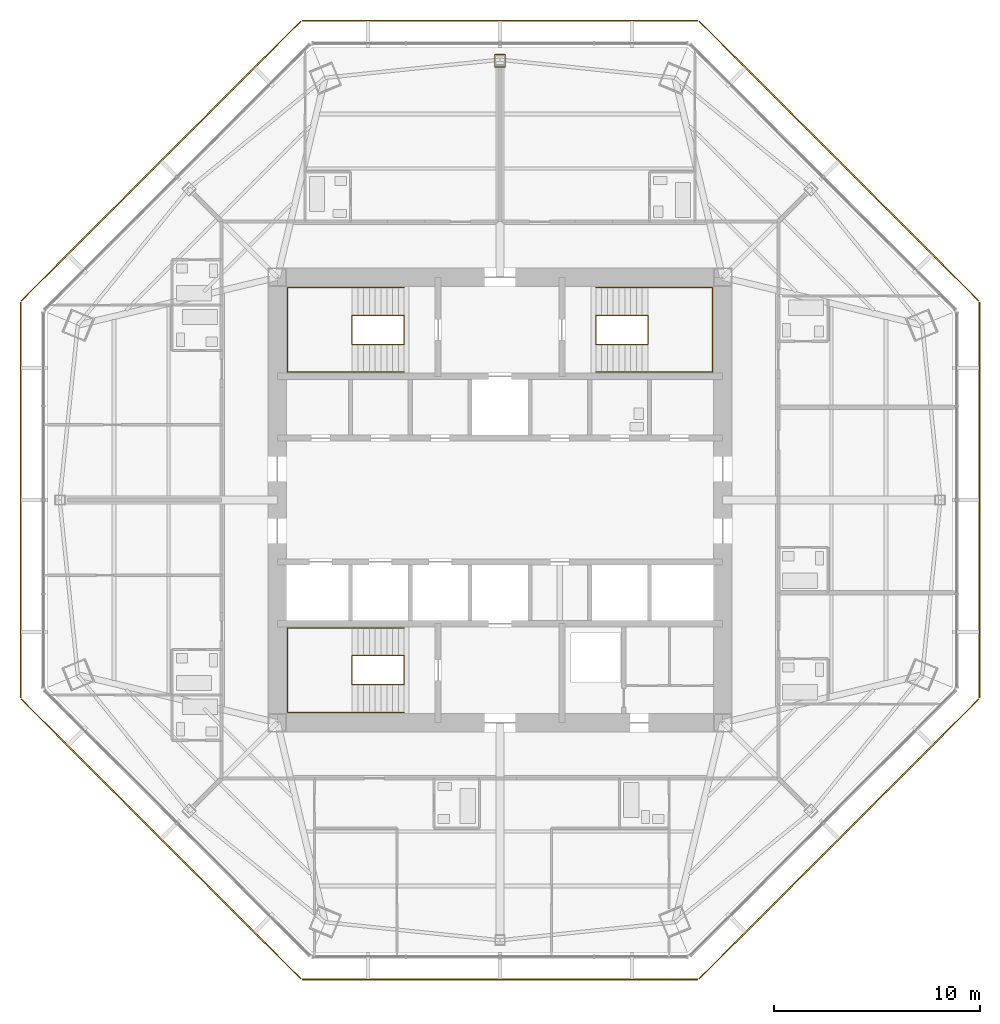
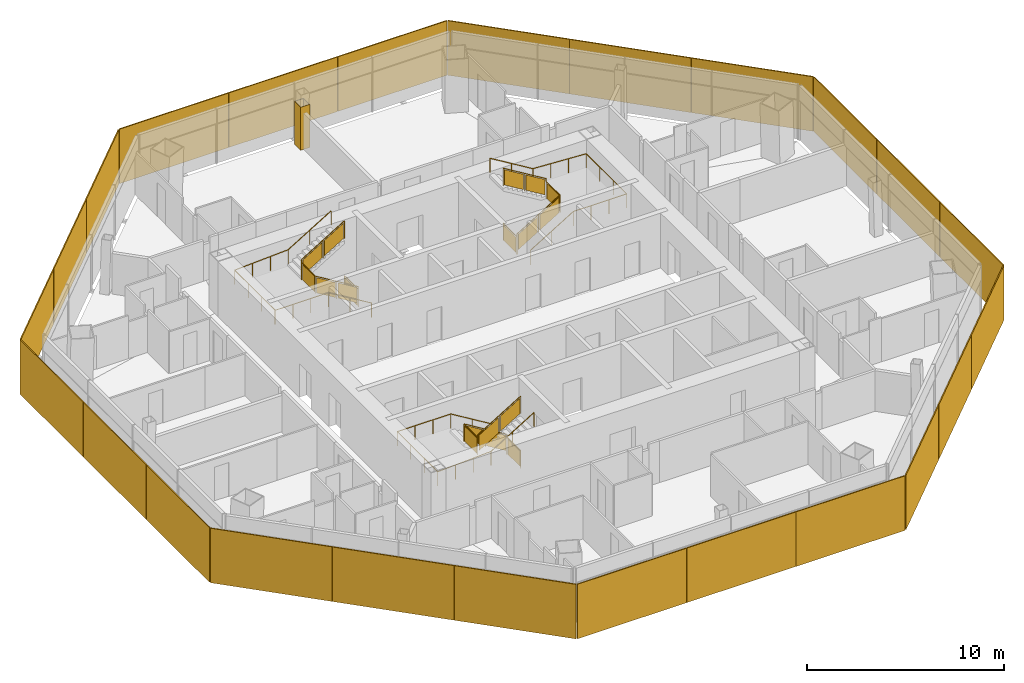
# One storey, part 14 of 15: 24 shading devices, 6 railings, 1 covering.
"""IFC4 building model written with IfcOpenShell, lengths in metres."""

from ifc_helpers import new_model, si_unit, direction, frame, origin, origin_2d, place, context, subcontext, project, spatial, polyline, rectangle, circle, outline, extrude, source, transform, mapped, material, layer, layer_set, type_object, type_shapes, element, save


model = new_model("IFC4")

# Units and contexts
model_context = context("Model", 3, precision=1e-05, world=origin(), true_north=direction((0.0, 1.0)))
body_context = subcontext(model_context, "Body", "Model", "MODEL_VIEW")
ifc_project = project(units=[si_unit("LENGTHUNIT", "METRE"), si_unit("AREAUNIT", "SQUARE_METRE"), si_unit("VOLUMEUNIT", "CUBIC_METRE"), si_unit("PLANEANGLEUNIT", "RADIAN"), si_unit("MASSUNIT", "GRAM", prefix="KILO")], contexts=[model_context])

# Site, building, storey
site_placement = place(None, origin())
site = spatial("IfcSite", under=ifc_project, at=site_placement, CompositionType="ELEMENT")
building_placement = place(site_placement, origin())
building = spatial("IfcBuilding", under=site, at=building_placement, Name="Mashrafa Tower", CompositionType="ELEMENT")
storey_placement = place(building_placement, frame((0.0, 0.0, 207.39990234375)))
storey = spatial("IfcBuildingStorey", under=building, at=storey_placement, Name="L47", CompositionType="ELEMENT", Elevation=207.39990234375)

# Covering
ifc_material_1 = material(Name="Gypsum board")
ifc_layer_1 = layer(ifc_material_1, 0.014892578125)
ifc_layer_set_1 = layer_set([ifc_layer_1], Name="Column casing plasterboard 15")
covering_type = type_object("IfcCoveringType", Name="Column casing plasterboard 15", PredefinedType="CLADDING", material=ifc_layer_set_1)
covering_placement = place(storey_placement, origin())
element("IfcCovering", 1, at=covering_placement, inside=storey, type_object=covering_type, Name="Column casing L47-001", PredefinedType="CLADDING", context=body_context, shape_type="SweptSolid", body=[
    extrude(outline(polyline([(-0.264892578125, 21.61279296875), (0.264892578125, 21.61279296875), (0.264892578125, 20.986328125), (-0.264892578125, 20.986328125), (-0.264892578125, 21.61279296875)]), holes=[polyline([(0.25, 21.00146484375), (0.25, 21.597900390625), (-0.25, 21.597900390625), (-0.25, 21.00146484375), (0.25, 21.00146484375)])]), origin(), (0.0, 0.0, 1.0), 2.664306640625),
])

# Railings
ifc_material_2 = material(Name="Steel guard with glass infill", Category="steel")
railing_type_1 = type_object("IfcRailingType", Name="Stair guard 1100", PredefinedType="GUARDRAIL", material=ifc_material_2)
railing_1_placement = place(storey_placement, frame((-4.64990234375, 8.949951171875, 0.0)))
element("IfcRailing", 2, at=railing_1_placement, inside=storey, type_object=railing_type_1, Name="Stair S1 guard L47", PredefinedType="GUARDRAIL", context=body_context, shape_type="SweptSolid", body=[
    extrude(circle(Radius=0.02392578125, at=origin_2d()), frame((0.0, 0.0, 1.076171875), z_axis=(0.0, -1.0, 0.0), x_axis=(1.0, 0.0, 0.0)), (0.0, 0.0, 1.0), 1.39990234375),
    extrude(circle(Radius=0.02392578125, at=origin_2d()), frame((0.0, -1.39990234375, 1.076171875), z_axis=(0.0, 0.0, 1.0), x_axis=(1.0, 0.0, 0.0)), (0.0, 0.0, 1.0), 0.170166015625),
    extrude(circle(Radius=0.02392578125, at=origin_2d()), frame((0.0, -1.39990234375, 1.24609375), z_axis=(-0.85478489116, 0.0, 0.518982456201), x_axis=(0.0, -1.0, 0.0)), (0.0, 0.0, 1.0), 2.9482421875),
    extrude(circle(Radius=0.02392578125, at=origin_2d()), frame((-2.52001953125, -1.39990234375, 2.7763671875), z_axis=(0.0, 1.0, 0.0), x_axis=(-1.0, 0.0, 0.0)), (0.0, 0.0, 1.0), 1.39990234375),
    extrude(circle(Radius=0.02392578125, at=origin_2d()), frame((-2.52001953125, 0.0, 2.7763671875), z_axis=(0.0, 0.0, 1.0), x_axis=(1.0, 0.0, 0.0)), (0.0, 0.0, 1.0), 0.169921875),
    extrude(circle(Radius=0.02392578125, at=origin_2d()), frame((-2.52001953125, 0.0, 2.9462890625), z_axis=(0.85478489116, 0.0, 0.518982456201), x_axis=(0.0, 1.0, 0.0)), (0.0, 0.0, 1.0), 2.9482421875),
    extrude(circle(Radius=0.02099609375, at=origin_2d()), origin(), (0.0, 0.0, 1.0), 1.052001953125),
    extrude(circle(Radius=0.02099609375, at=origin_2d()), frame((0.0, -1.39990234375, 0.0)), (0.0, 0.0, 1.0), 1.052001953125),
    extrude(circle(Radius=0.02099609375, at=origin_2d()), frame((0.0, -1.39990234375, 0.170166015625)), (0.0, 0.0, 1.0), 1.052001953125),
    extrude(circle(Radius=0.02099609375, at=origin_2d()), frame((-1.260009765625, -1.39990234375, 0.93505859375)), (0.0, 0.0, 1.0), 1.052001953125),
    extrude(circle(Radius=0.02099609375, at=origin_2d()), frame((-2.52001953125, -1.39990234375, 1.7001953125)), (0.0, 0.0, 1.0), 1.052001953125),
    extrude(circle(Radius=0.02099609375, at=origin_2d()), frame((-2.52001953125, 0.0, 1.7001953125)), (0.0, 0.0, 1.0), 1.052001953125),
    extrude(circle(Radius=0.02099609375, at=origin_2d()), frame((-2.52001953125, 0.0, 1.8701171875)), (0.0, 0.0, 1.0), 1.052001953125),
    extrude(circle(Radius=0.02099609375, at=origin_2d()), frame((-1.260009765625, 0.0, 2.63525390625)), (0.0, 0.0, 1.0), 1.052001953125),
    extrude(circle(Radius=0.02099609375, at=origin_2d()), frame((0.0, 0.0, 3.400146484375)), (0.0, 0.0, 1.0), 1.052001953125),
    extrude(outline(polyline([(0.071044921875, 0.050048828125), (1.328857421875, 0.050048828125), (1.328857421875, 1.001953125), (0.071044921875, 1.001953125), (0.071044921875, 0.050048828125)])), frame((-0.006103515625, 0.0, 0.0), z_axis=(-1.0, 0.0, 0.0), x_axis=(0.0, -1.0, 0.0)), (0.0, 0.0, 1.0), 0.011962890625),
    extrude(outline(polyline([(0.071044921875, 0.093017578125), (1.18896484375, 0.77197265625), (1.18896484375, 1.723876953125), (0.071044921875, 1.045166015625), (0.071044921875, 0.093017578125)])), frame((0.0, -1.393798828125, 0.170166015625), z_axis=(0.0, 1.0, 0.0), x_axis=(-1.0, 0.0, 0.0)), (0.0, 0.0, 1.0), 0.011962890625),
    extrude(outline(polyline([(1.3310546875, 0.858154296875), (2.448974609375, 1.536865234375), (2.448974609375, 2.489013671875), (1.3310546875, 1.81005859375), (1.3310546875, 0.858154296875)])), frame((0.0, -1.393798828125, 0.170166015625), z_axis=(0.0, 1.0, 0.0), x_axis=(-1.0, 0.0, 0.0)), (0.0, 0.0, 1.0), 0.011962890625),
    extrude(outline(polyline([(0.071044921875, 0.050048828125), (1.328857421875, 0.050048828125), (1.328857421875, 1.001953125), (0.071044921875, 1.001953125), (0.071044921875, 0.050048828125)])), frame((-2.513916015625, -1.39990234375, 1.7001953125), z_axis=(1.0, 0.0, 0.0), x_axis=(0.0, 1.0, 0.0)), (0.0, 0.0, 1.0), 0.011962890625),
    extrude(outline(polyline([(0.071044921875, 0.093017578125), (1.18896484375, 0.77197265625), (1.18896484375, 1.723876953125), (0.071044921875, 1.045166015625), (0.071044921875, 0.093017578125)])), frame((-2.52001953125, -0.006103515625, 1.8701171875), z_axis=(0.0, -1.0, 0.0), x_axis=(1.0, 0.0, 0.0)), (0.0, 0.0, 1.0), 0.011962890625),
    extrude(outline(polyline([(1.3310546875, 0.858154296875), (2.448974609375, 1.536865234375), (2.448974609375, 2.489013671875), (1.3310546875, 1.81005859375), (1.3310546875, 0.858154296875)])), frame((-2.52001953125, -0.006103515625, 1.8701171875), z_axis=(0.0, -1.0, 0.0), x_axis=(1.0, 0.0, 0.0)), (0.0, 0.0, 1.0), 0.011962890625),
])
railing_2_placement = place(storey_placement, frame((4.64990234375, 8.949951171875, 0.0)))
element("IfcRailing", 3, at=railing_2_placement, inside=storey, type_object=railing_type_1, Name="Stair S2 guard L47", PredefinedType="GUARDRAIL", context=body_context, shape_type="SweptSolid", body=[
    extrude(circle(Radius=0.02392578125, at=origin_2d()), frame((0.0, 0.0, 1.076171875), z_axis=(0.0, -1.0, 0.0), x_axis=(1.0, 0.0, 0.0)), (0.0, 0.0, 1.0), 1.39990234375),
    extrude(circle(Radius=0.02392578125, at=origin_2d()), frame((0.0, -1.39990234375, 1.076171875), z_axis=(0.0, 0.0, 1.0), x_axis=(1.0, 0.0, 0.0)), (0.0, 0.0, 1.0), 0.170166015625),
    extrude(circle(Radius=0.02392578125, at=origin_2d()), frame((0.0, -1.39990234375, 1.24609375), z_axis=(0.85478489116, 0.0, 0.518982456201), x_axis=(0.0, 1.0, 0.0)), (0.0, 0.0, 1.0), 2.9482421875),
    extrude(circle(Radius=0.02392578125, at=origin_2d()), frame((2.52001953125, -1.39990234375, 2.7763671875), z_axis=(0.0, 1.0, 0.0), x_axis=(-1.0, 0.0, 0.0)), (0.0, 0.0, 1.0), 1.39990234375),
    extrude(circle(Radius=0.02392578125, at=origin_2d()), frame((2.52001953125, 0.0, 2.7763671875), z_axis=(0.0, 0.0, 1.0), x_axis=(1.0, 0.0, 0.0)), (0.0, 0.0, 1.0), 0.169921875),
    extrude(circle(Radius=0.02392578125, at=origin_2d()), frame((2.52001953125, 0.0, 2.9462890625), z_axis=(-0.85478489116, 0.0, 0.518982456201), x_axis=(0.0, -1.0, 0.0)), (0.0, 0.0, 1.0), 2.9482421875),
    extrude(circle(Radius=0.02099609375, at=origin_2d()), origin(), (0.0, 0.0, 1.0), 1.052001953125),
    extrude(circle(Radius=0.02099609375, at=origin_2d()), frame((0.0, -1.39990234375, 0.0)), (0.0, 0.0, 1.0), 1.052001953125),
    extrude(circle(Radius=0.02099609375, at=origin_2d()), frame((0.0, -1.39990234375, 0.170166015625)), (0.0, 0.0, 1.0), 1.052001953125),
    extrude(circle(Radius=0.02099609375, at=origin_2d()), frame((1.260009765625, -1.39990234375, 0.93505859375)), (0.0, 0.0, 1.0), 1.052001953125),
    extrude(circle(Radius=0.02099609375, at=origin_2d()), frame((2.52001953125, -1.39990234375, 1.7001953125)), (0.0, 0.0, 1.0), 1.052001953125),
    extrude(circle(Radius=0.02099609375, at=origin_2d()), frame((2.52001953125, 0.0, 1.7001953125)), (0.0, 0.0, 1.0), 1.052001953125),
    extrude(circle(Radius=0.02099609375, at=origin_2d()), frame((2.52001953125, 0.0, 1.8701171875)), (0.0, 0.0, 1.0), 1.052001953125),
    extrude(circle(Radius=0.02099609375, at=origin_2d()), frame((1.260009765625, 0.0, 2.63525390625)), (0.0, 0.0, 1.0), 1.052001953125),
    extrude(circle(Radius=0.02099609375, at=origin_2d()), frame((0.0, 0.0, 3.400146484375)), (0.0, 0.0, 1.0), 1.052001953125),
    extrude(outline(polyline([(0.071044921875, 0.050048828125), (1.328857421875, 0.050048828125), (1.328857421875, 1.001953125), (0.071044921875, 1.001953125), (0.071044921875, 0.050048828125)])), frame((-0.006103515625, 0.0, 0.0), z_axis=(-1.0, 0.0, 0.0), x_axis=(0.0, -1.0, 0.0)), (0.0, 0.0, 1.0), 0.011962890625),
    extrude(outline(polyline([(0.071044921875, 0.093017578125), (1.18896484375, 0.77197265625), (1.18896484375, 1.723876953125), (0.071044921875, 1.045166015625), (0.071044921875, 0.093017578125)])), frame((0.0, -1.406005859375, 0.170166015625), z_axis=(0.0, -1.0, 0.0), x_axis=(1.0, 0.0, 0.0)), (0.0, 0.0, 1.0), 0.011962890625),
    extrude(outline(polyline([(1.3310546875, 0.858154296875), (2.448974609375, 1.536865234375), (2.448974609375, 2.489013671875), (1.3310546875, 1.81005859375), (1.3310546875, 0.858154296875)])), frame((0.0, -1.406005859375, 0.170166015625), z_axis=(0.0, -1.0, 0.0), x_axis=(1.0, 0.0, 0.0)), (0.0, 0.0, 1.0), 0.011962890625),
    extrude(outline(polyline([(0.071044921875, 0.050048828125), (1.328857421875, 0.050048828125), (1.328857421875, 1.001953125), (0.071044921875, 1.001953125), (0.071044921875, 0.050048828125)])), frame((2.526123046875, -1.39990234375, 1.7001953125), z_axis=(1.0, 0.0, 0.0), x_axis=(0.0, 1.0, 0.0)), (0.0, 0.0, 1.0), 0.011962890625),
    extrude(outline(polyline([(0.071044921875, 0.093017578125), (1.18896484375, 0.77197265625), (1.18896484375, 1.723876953125), (0.071044921875, 1.045166015625), (0.071044921875, 0.093017578125)])), frame((2.52001953125, 0.006103515625, 1.8701171875), z_axis=(0.0, 1.0, 0.0), x_axis=(-1.0, 0.0, 0.0)), (0.0, 0.0, 1.0), 0.011962890625),
    extrude(outline(polyline([(1.3310546875, 0.858154296875), (2.448974609375, 1.536865234375), (2.448974609375, 2.489013671875), (1.3310546875, 1.81005859375), (1.3310546875, 0.858154296875)])), frame((2.52001953125, 0.006103515625, 1.8701171875), z_axis=(0.0, 1.0, 0.0), x_axis=(-1.0, 0.0, 0.0)), (0.0, 0.0, 1.0), 0.011962890625),
])
railing_3_placement = place(storey_placement, frame((-4.64990234375, -8.949951171875, 0.0)))
element("IfcRailing", 4, at=railing_3_placement, inside=storey, type_object=railing_type_1, Name="Stair S3 guard L47", PredefinedType="GUARDRAIL", context=body_context, shape_type="SweptSolid", body=[
    extrude(circle(Radius=0.02392578125, at=origin_2d()), frame((0.0, 0.0, 1.076171875), z_axis=(0.0, 1.0, 0.0), x_axis=(-1.0, 0.0, 0.0)), (0.0, 0.0, 1.0), 1.39990234375),
    extrude(circle(Radius=0.02392578125, at=origin_2d()), frame((0.0, 1.39990234375, 1.076171875), z_axis=(0.0, 0.0, 1.0), x_axis=(1.0, 0.0, 0.0)), (0.0, 0.0, 1.0), 0.170166015625),
    extrude(circle(Radius=0.02392578125, at=origin_2d()), frame((0.0, 1.39990234375, 1.24609375), z_axis=(-0.85478489116, 0.0, 0.518982456201), x_axis=(0.0, -1.0, 0.0)), (0.0, 0.0, 1.0), 2.9482421875),
    extrude(circle(Radius=0.02392578125, at=origin_2d()), frame((-2.52001953125, 1.39990234375, 2.7763671875), z_axis=(0.0, -1.0, 0.0), x_axis=(1.0, 0.0, 0.0)), (0.0, 0.0, 1.0), 1.39990234375),
    extrude(circle(Radius=0.02392578125, at=origin_2d()), frame((-2.52001953125, 0.0, 2.7763671875), z_axis=(0.0, 0.0, 1.0), x_axis=(1.0, 0.0, 0.0)), (0.0, 0.0, 1.0), 0.169921875),
    extrude(circle(Radius=0.02392578125, at=origin_2d()), frame((-2.52001953125, 0.0, 2.9462890625), z_axis=(0.85478489116, 0.0, 0.518982456201), x_axis=(0.0, 1.0, 0.0)), (0.0, 0.0, 1.0), 2.9482421875),
    extrude(circle(Radius=0.02099609375, at=origin_2d()), origin(), (0.0, 0.0, 1.0), 1.052001953125),
    extrude(circle(Radius=0.02099609375, at=origin_2d()), frame((0.0, 1.39990234375, 0.0)), (0.0, 0.0, 1.0), 1.052001953125),
    extrude(circle(Radius=0.02099609375, at=origin_2d()), frame((0.0, 1.39990234375, 0.170166015625)), (0.0, 0.0, 1.0), 1.052001953125),
    extrude(circle(Radius=0.02099609375, at=origin_2d()), frame((-1.260009765625, 1.39990234375, 0.93505859375)), (0.0, 0.0, 1.0), 1.052001953125),
    extrude(circle(Radius=0.02099609375, at=origin_2d()), frame((-2.52001953125, 1.39990234375, 1.7001953125)), (0.0, 0.0, 1.0), 1.052001953125),
    extrude(circle(Radius=0.02099609375, at=origin_2d()), frame((-2.52001953125, 0.0, 1.7001953125)), (0.0, 0.0, 1.0), 1.052001953125),
    extrude(circle(Radius=0.02099609375, at=origin_2d()), frame((-2.52001953125, 0.0, 1.8701171875)), (0.0, 0.0, 1.0), 1.052001953125),
    extrude(circle(Radius=0.02099609375, at=origin_2d()), frame((-1.260009765625, 0.0, 2.63525390625)), (0.0, 0.0, 1.0), 1.052001953125),
    extrude(circle(Radius=0.02099609375, at=origin_2d()), frame((0.0, 0.0, 3.400146484375)), (0.0, 0.0, 1.0), 1.052001953125),
    extrude(outline(polyline([(0.071044921875, 0.050048828125), (1.328857421875, 0.050048828125), (1.328857421875, 1.001953125), (0.071044921875, 1.001953125), (0.071044921875, 0.050048828125)])), frame((0.006103515625, 0.0, 0.0), z_axis=(1.0, 0.0, 0.0), x_axis=(0.0, 1.0, 0.0)), (0.0, 0.0, 1.0), 0.011962890625),
    extrude(outline(polyline([(0.071044921875, 0.093017578125), (1.18896484375, 0.77197265625), (1.18896484375, 1.723876953125), (0.071044921875, 1.045166015625), (0.071044921875, 0.093017578125)])), frame((0.0, 1.406005859375, 0.170166015625), z_axis=(0.0, 1.0, 0.0), x_axis=(-1.0, 0.0, 0.0)), (0.0, 0.0, 1.0), 0.011962890625),
    extrude(outline(polyline([(1.3310546875, 0.858154296875), (2.448974609375, 1.536865234375), (2.448974609375, 2.489013671875), (1.3310546875, 1.81005859375), (1.3310546875, 0.858154296875)])), frame((0.0, 1.406005859375, 0.170166015625), z_axis=(0.0, 1.0, 0.0), x_axis=(-1.0, 0.0, 0.0)), (0.0, 0.0, 1.0), 0.011962890625),
    extrude(outline(polyline([(0.071044921875, 0.050048828125), (1.328857421875, 0.050048828125), (1.328857421875, 1.001953125), (0.071044921875, 1.001953125), (0.071044921875, 0.050048828125)])), frame((-2.526123046875, 1.39990234375, 1.7001953125), z_axis=(-1.0, 0.0, 0.0), x_axis=(0.0, -1.0, 0.0)), (0.0, 0.0, 1.0), 0.011962890625),
    extrude(outline(polyline([(0.071044921875, 0.093017578125), (1.18896484375, 0.77197265625), (1.18896484375, 1.723876953125), (0.071044921875, 1.045166015625), (0.071044921875, 0.093017578125)])), frame((-2.52001953125, -0.006103515625, 1.8701171875), z_axis=(0.0, -1.0, 0.0), x_axis=(1.0, 0.0, 0.0)), (0.0, 0.0, 1.0), 0.011962890625),
    extrude(outline(polyline([(1.3310546875, 0.858154296875), (2.448974609375, 1.536865234375), (2.448974609375, 2.489013671875), (1.3310546875, 1.81005859375), (1.3310546875, 0.858154296875)])), frame((-2.52001953125, -0.006103515625, 1.8701171875), z_axis=(0.0, -1.0, 0.0), x_axis=(1.0, 0.0, 0.0)), (0.0, 0.0, 1.0), 0.011962890625),
])
ifc_material_3 = material(Name="Steel", Category="steel")
railing_type_2 = type_object("IfcRailingType", Name="Stair handrail 900", PredefinedType="HANDRAIL", material=ifc_material_3)
railing_4_placement = place(storey_placement, frame((-4.64990234375, 6.199951171875, 0.170166015625)))
element("IfcRailing", 5, at=railing_4_placement, inside=storey, type_object=railing_type_2, Name="Stair S1 handrail L47", PredefinedType="HANDRAIL", context=body_context, shape_type="SweptSolid", body=[
    extrude(circle(Radius=0.02392578125, at=origin_2d()), frame((0.0, 0.0, 0.8759765625), z_axis=(-0.85478489116, 0.0, 0.518982456201), x_axis=(0.0, -1.0, 0.0)), (0.0, 0.0, 1.0), 2.9482421875),
    extrude(circle(Radius=0.02392578125, at=origin_2d()), frame((-2.52001953125, 0.0, 2.40576171875), z_axis=(-1.0, 0.0, 0.0), x_axis=(0.0, -1.0, 0.0)), (0.0, 0.0, 1.0), 3.130126953125),
    extrude(circle(Radius=0.02392578125, at=origin_2d()), frame((-5.650146484375, 0.0, 2.40576171875), z_axis=(0.0, 1.0, 0.0), x_axis=(-1.0, 0.0, 0.0)), (0.0, 0.0, 1.0), 4.10009765625),
    extrude(circle(Radius=0.02392578125, at=origin_2d()), frame((-5.650146484375, 4.10009765625, 2.40576171875), z_axis=(0.998529767259, 0.0, 0.054206124172), x_axis=(0.0, 1.0, 0.0)), (0.0, 0.0, 1.0), 3.134765625),
    extrude(circle(Radius=0.02392578125, at=origin_2d()), frame((-2.52001953125, 4.10009765625, 2.57568359375), z_axis=(0.85478489116, 0.0, 0.518982456201), x_axis=(0.0, 1.0, 0.0)), (0.0, 0.0, 1.0), 2.9482421875),
    extrude(circle(Radius=0.02099609375, at=origin_2d()), origin(), (0.0, 0.0, 1.0), 0.851806640625),
    extrude(circle(Radius=0.02099609375, at=origin_2d()), frame((-1.260009765625, 0.0, 0.76513671875)), (0.0, 0.0, 1.0), 0.851806640625),
    extrude(circle(Radius=0.02099609375, at=origin_2d()), frame((-2.52001953125, 0.0, 1.530029296875)), (0.0, 0.0, 1.0), 0.851806640625),
    extrude(circle(Radius=0.02099609375, at=origin_2d()), frame((-3.5634765625, 0.0, 1.530029296875)), (0.0, 0.0, 1.0), 0.851806640625),
    extrude(circle(Radius=0.02099609375, at=origin_2d()), frame((-4.606689453125, 0.0, 1.530029296875)), (0.0, 0.0, 1.0), 0.851806640625),
    extrude(circle(Radius=0.02099609375, at=origin_2d()), frame((-5.650146484375, 0.0, 1.530029296875)), (0.0, 0.0, 1.0), 0.851806640625),
    extrude(circle(Radius=0.02099609375, at=origin_2d()), frame((-5.650146484375, 1.36669921875, 1.530029296875)), (0.0, 0.0, 1.0), 0.851806640625),
    extrude(circle(Radius=0.02099609375, at=origin_2d()), frame((-5.650146484375, 2.7333984375, 1.530029296875)), (0.0, 0.0, 1.0), 0.851806640625),
    extrude(circle(Radius=0.02099609375, at=origin_2d()), frame((-5.650146484375, 4.10009765625, 1.530029296875)), (0.0, 0.0, 1.0), 0.851806640625),
    extrude(circle(Radius=0.02099609375, at=origin_2d()), frame((-4.606689453125, 4.10009765625, 1.586669921875)), (0.0, 0.0, 1.0), 0.851806640625),
    extrude(circle(Radius=0.02099609375, at=origin_2d()), frame((-3.5634765625, 4.10009765625, 1.643310546875)), (0.0, 0.0, 1.0), 0.851806640625),
    extrude(circle(Radius=0.02099609375, at=origin_2d()), frame((-2.52001953125, 4.10009765625, 1.699951171875)), (0.0, 0.0, 1.0), 0.851806640625),
    extrude(circle(Radius=0.02099609375, at=origin_2d()), frame((-1.260009765625, 4.10009765625, 2.46484375)), (0.0, 0.0, 1.0), 0.851806640625),
    extrude(circle(Radius=0.02099609375, at=origin_2d()), frame((0.0, 4.10009765625, 3.22998046875)), (0.0, 0.0, 1.0), 0.851806640625),
])
railing_5_placement = place(storey_placement, frame((4.64990234375, 6.199951171875, 0.170166015625)))
element("IfcRailing", 6, at=railing_5_placement, inside=storey, type_object=railing_type_2, Name="Stair S2 handrail L47", PredefinedType="HANDRAIL", context=body_context, shape_type="SweptSolid", body=[
    extrude(circle(Radius=0.02392578125, at=origin_2d()), frame((0.0, 0.0, 0.8759765625), z_axis=(0.85478489116, 0.0, 0.518982456201), x_axis=(0.0, 1.0, 0.0)), (0.0, 0.0, 1.0), 2.9482421875),
    extrude(circle(Radius=0.02392578125, at=origin_2d()), frame((2.52001953125, 0.0, 2.40576171875), z_axis=(1.0, 0.0, 0.0), x_axis=(0.0, 1.0, 0.0)), (0.0, 0.0, 1.0), 3.130126953125),
    extrude(circle(Radius=0.02392578125, at=origin_2d()), frame((5.650146484375, 0.0, 2.40576171875), z_axis=(0.0, 1.0, 0.0), x_axis=(-1.0, 0.0, 0.0)), (0.0, 0.0, 1.0), 4.10009765625),
    extrude(circle(Radius=0.02392578125, at=origin_2d()), frame((5.650146484375, 4.10009765625, 2.40576171875), z_axis=(-0.998529767259, 0.0, 0.054206124172), x_axis=(0.0, -1.0, 0.0)), (0.0, 0.0, 1.0), 3.134765625),
    extrude(circle(Radius=0.02392578125, at=origin_2d()), frame((2.52001953125, 4.10009765625, 2.57568359375), z_axis=(-0.85478489116, 0.0, 0.518982456201), x_axis=(0.0, -1.0, 0.0)), (0.0, 0.0, 1.0), 2.9482421875),
    extrude(circle(Radius=0.02099609375, at=origin_2d()), origin(), (0.0, 0.0, 1.0), 0.851806640625),
    extrude(circle(Radius=0.02099609375, at=origin_2d()), frame((1.260009765625, 0.0, 0.76513671875)), (0.0, 0.0, 1.0), 0.851806640625),
    extrude(circle(Radius=0.02099609375, at=origin_2d()), frame((2.52001953125, 0.0, 1.530029296875)), (0.0, 0.0, 1.0), 0.851806640625),
    extrude(circle(Radius=0.02099609375, at=origin_2d()), frame((3.5634765625, 0.0, 1.530029296875)), (0.0, 0.0, 1.0), 0.851806640625),
    extrude(circle(Radius=0.02099609375, at=origin_2d()), frame((4.606689453125, 0.0, 1.530029296875)), (0.0, 0.0, 1.0), 0.851806640625),
    extrude(circle(Radius=0.02099609375, at=origin_2d()), frame((5.650146484375, 0.0, 1.530029296875)), (0.0, 0.0, 1.0), 0.851806640625),
    extrude(circle(Radius=0.02099609375, at=origin_2d()), frame((5.650146484375, 1.36669921875, 1.530029296875)), (0.0, 0.0, 1.0), 0.851806640625),
    extrude(circle(Radius=0.02099609375, at=origin_2d()), frame((5.650146484375, 2.7333984375, 1.530029296875)), (0.0, 0.0, 1.0), 0.851806640625),
    extrude(circle(Radius=0.02099609375, at=origin_2d()), frame((5.650146484375, 4.10009765625, 1.530029296875)), (0.0, 0.0, 1.0), 0.851806640625),
    extrude(circle(Radius=0.02099609375, at=origin_2d()), frame((4.606689453125, 4.10009765625, 1.586669921875)), (0.0, 0.0, 1.0), 0.851806640625),
    extrude(circle(Radius=0.02099609375, at=origin_2d()), frame((3.5634765625, 4.10009765625, 1.643310546875)), (0.0, 0.0, 1.0), 0.851806640625),
    extrude(circle(Radius=0.02099609375, at=origin_2d()), frame((2.52001953125, 4.10009765625, 1.699951171875)), (0.0, 0.0, 1.0), 0.851806640625),
    extrude(circle(Radius=0.02099609375, at=origin_2d()), frame((1.260009765625, 4.10009765625, 2.46484375)), (0.0, 0.0, 1.0), 0.851806640625),
    extrude(circle(Radius=0.02099609375, at=origin_2d()), frame((0.0, 4.10009765625, 3.22998046875)), (0.0, 0.0, 1.0), 0.851806640625),
])
railing_6_placement = place(storey_placement, frame((-4.64990234375, -6.199951171875, 0.170166015625)))
element("IfcRailing", 7, at=railing_6_placement, inside=storey, type_object=railing_type_2, Name="Stair S3 handrail L47", PredefinedType="HANDRAIL", context=body_context, shape_type="SweptSolid", body=[
    extrude(circle(Radius=0.02392578125, at=origin_2d()), frame((0.0, 0.0, 0.8759765625), z_axis=(-0.85478489116, 0.0, 0.518982456201), x_axis=(0.0, -1.0, 0.0)), (0.0, 0.0, 1.0), 2.9482421875),
    extrude(circle(Radius=0.02392578125, at=origin_2d()), frame((-2.52001953125, 0.0, 2.40576171875), z_axis=(-1.0, 0.0, 0.0), x_axis=(0.0, -1.0, 0.0)), (0.0, 0.0, 1.0), 3.130126953125),
    extrude(circle(Radius=0.02392578125, at=origin_2d()), frame((-5.650146484375, 0.0, 2.40576171875), z_axis=(0.0, -1.0, 0.0), x_axis=(1.0, 0.0, 0.0)), (0.0, 0.0, 1.0), 4.10009765625),
    extrude(circle(Radius=0.02392578125, at=origin_2d()), frame((-5.650146484375, -4.10009765625, 2.40576171875), z_axis=(0.998529767259, 0.0, 0.054206124172), x_axis=(0.0, 1.0, 0.0)), (0.0, 0.0, 1.0), 3.134765625),
    extrude(circle(Radius=0.02392578125, at=origin_2d()), frame((-2.52001953125, -4.10009765625, 2.57568359375), z_axis=(0.85478489116, 0.0, 0.518982456201), x_axis=(0.0, 1.0, 0.0)), (0.0, 0.0, 1.0), 2.9482421875),
    extrude(circle(Radius=0.02099609375, at=origin_2d()), origin(), (0.0, 0.0, 1.0), 0.851806640625),
    extrude(circle(Radius=0.02099609375, at=origin_2d()), frame((-1.260009765625, 0.0, 0.76513671875)), (0.0, 0.0, 1.0), 0.851806640625),
    extrude(circle(Radius=0.02099609375, at=origin_2d()), frame((-2.52001953125, 0.0, 1.530029296875)), (0.0, 0.0, 1.0), 0.851806640625),
    extrude(circle(Radius=0.02099609375, at=origin_2d()), frame((-3.5634765625, 0.0, 1.530029296875)), (0.0, 0.0, 1.0), 0.851806640625),
    extrude(circle(Radius=0.02099609375, at=origin_2d()), frame((-4.606689453125, 0.0, 1.530029296875)), (0.0, 0.0, 1.0), 0.851806640625),
    extrude(circle(Radius=0.02099609375, at=origin_2d()), frame((-5.650146484375, 0.0, 1.530029296875)), (0.0, 0.0, 1.0), 0.851806640625),
    extrude(circle(Radius=0.02099609375, at=origin_2d()), frame((-5.650146484375, -1.36669921875, 1.530029296875)), (0.0, 0.0, 1.0), 0.851806640625),
    extrude(circle(Radius=0.02099609375, at=origin_2d()), frame((-5.650146484375, -2.7333984375, 1.530029296875)), (0.0, 0.0, 1.0), 0.851806640625),
    extrude(circle(Radius=0.02099609375, at=origin_2d()), frame((-5.650146484375, -4.10009765625, 1.530029296875)), (0.0, 0.0, 1.0), 0.851806640625),
    extrude(circle(Radius=0.02099609375, at=origin_2d()), frame((-4.606689453125, -4.10009765625, 1.586669921875)), (0.0, 0.0, 1.0), 0.851806640625),
    extrude(circle(Radius=0.02099609375, at=origin_2d()), frame((-3.5634765625, -4.10009765625, 1.643310546875)), (0.0, 0.0, 1.0), 0.851806640625),
    extrude(circle(Radius=0.02099609375, at=origin_2d()), frame((-2.52001953125, -4.10009765625, 1.699951171875)), (0.0, 0.0, 1.0), 0.851806640625),
    extrude(circle(Radius=0.02099609375, at=origin_2d()), frame((-1.260009765625, -4.10009765625, 2.46484375)), (0.0, 0.0, 1.0), 0.851806640625),
    extrude(circle(Radius=0.02099609375, at=origin_2d()), frame((0.0, -4.10009765625, 3.22998046875)), (0.0, 0.0, 1.0), 0.851806640625),
])

# Shading devices
ifc_material_4 = material(Name="Perforated aluminium plate, eight-point star pattern", Category="aluminium")
ifc_layer_2 = layer(ifc_material_4, 0.06005859375)
ifc_layer_set_2 = layer_set([ifc_layer_2], Name="Mashrabiya screen panel apartment zone 3, 28 percent open")
shading_device_type = type_object("IfcShadingDeviceType", Name="Mashrabiya screen panel apartment zone 3, 28 percent open", PredefinedType="SHUTTER", material=ifc_layer_set_2)
shared_shape = source(origin(), body_context, "Body", "SweptSolid", [
    extrude(rectangle(XDim=6.384765625, YDim=0.06005859375, at=origin_2d()), origin(), (0.0, 0.0, 1.0), 3.3798828125),
])
type_shapes(shading_device_type, [shared_shape])
for number, where, z_axis, x_axis, name in (
    (8, (23.24755859375, -6.40478515625, -0.14990234375), (0.0, 0.0, 1.0), (0.0, 1.0, 0.0), "Mashrabiya screen L47 east 1"),
    (9, (23.24755859375, 0.0, -0.14990234375), (0.0, 0.0, 1.0), (0.0, 1.0, 0.0), "Mashrabiya screen L47 east 2"),
    (10, (23.24755859375, 6.40478515625, -0.14990234375), (0.0, 0.0, 1.0), (0.0, 1.0, 0.0), "Mashrabiya screen L47 east 3"),
    (11, (20.96728515625, 11.90966796875, -0.14990234375), (0.0, 0.0, 1.0), (-0.707106781187, 0.707106781187, 0.0), "Mashrabiya screen L47 north-east 1"),
    (12, (16.4384765625, 16.4384765625, -0.14990234375), (0.0, 0.0, 1.0), (-0.707106781187, 0.707106781187, 0.0), "Mashrabiya screen L47 north-east 2"),
    (13, (11.90966796875, 20.96728515625, -0.14990234375), (0.0, 0.0, 1.0), (-0.707106781187, 0.707106781187, 0.0), "Mashrabiya screen L47 north-east 3"),
    (14, (6.40478515625, 23.24755859375, -0.14990234375), (0.0, 0.0, 1.0), (-1.0, 0.0, 0.0), "Mashrabiya screen L47 north 1"),
    (15, (0.0, 23.24755859375, -0.14990234375), (0.0, 0.0, 1.0), (-1.0, 0.0, 0.0), "Mashrabiya screen L47 north 2"),
    (16, (-6.40478515625, 23.24755859375, -0.14990234375), (0.0, 0.0, 1.0), (-1.0, 0.0, 0.0), "Mashrabiya screen L47 north 3"),
    (17, (-11.90966796875, 20.96728515625, -0.14990234375), (0.0, 0.0, 1.0), (-0.707106781187, -0.707106781187, 0.0), "Mashrabiya screen L47 north-west 1"),
    (18, (-16.4384765625, 16.4384765625, -0.14990234375), (0.0, 0.0, 1.0), (-0.707106781187, -0.707106781187, 0.0), "Mashrabiya screen L47 north-west 2"),
    (19, (-20.96728515625, 11.90966796875, -0.14990234375), (0.0, 0.0, 1.0), (-0.707106781187, -0.707106781187, 0.0), "Mashrabiya screen L47 north-west 3"),
    (20, (-23.24755859375, 6.40478515625, -0.14990234375), (0.0, 0.0, 1.0), (0.0, -1.0, 0.0), "Mashrabiya screen L47 west 1"),
    (21, (-23.24755859375, 0.0, -0.14990234375), (0.0, 0.0, 1.0), (0.0, -1.0, 0.0), "Mashrabiya screen L47 west 2"),
    (22, (-23.24755859375, -6.40478515625, -0.14990234375), (0.0, 0.0, 1.0), (0.0, -1.0, 0.0), "Mashrabiya screen L47 west 3"),
    (23, (-20.96728515625, -11.90966796875, -0.14990234375), (0.0, 0.0, 1.0), (0.707106781187, -0.707106781187, 0.0), "Mashrabiya screen L47 south-west 1"),
    (24, (-16.4384765625, -16.4384765625, -0.14990234375), (0.0, 0.0, 1.0), (0.707106781187, -0.707106781187, 0.0), "Mashrabiya screen L47 south-west 2"),
    (25, (-11.90966796875, -20.96728515625, -0.14990234375), (0.0, 0.0, 1.0), (0.707106781187, -0.707106781187, 0.0), "Mashrabiya screen L47 south-west 3"),
    (26, (-6.40478515625, -23.24755859375, -0.14990234375), (0.0, 0.0, 1.0), (1.0, 0.0, 0.0), "Mashrabiya screen L47 south 1"),
    (27, (0.0, -23.24755859375, -0.14990234375), (0.0, 0.0, 1.0), (1.0, 0.0, 0.0), "Mashrabiya screen L47 south 2"),
    (28, (6.40478515625, -23.24755859375, -0.14990234375), (0.0, 0.0, 1.0), (1.0, 0.0, 0.0), "Mashrabiya screen L47 south 3"),
    (29, (11.90966796875, -20.96728515625, -0.14990234375), (0.0, 0.0, 1.0), (0.707106781187, 0.707106781187, 0.0), "Mashrabiya screen L47 south-east 1"),
    (30, (16.4384765625, -16.4384765625, -0.14990234375), (0.0, 0.0, 1.0), (0.707106781187, 0.707106781187, 0.0), "Mashrabiya screen L47 south-east 2"),
    (31, (20.96728515625, -11.90966796875, -0.14990234375), (0.0, 0.0, 1.0), (0.707106781187, 0.707106781187, 0.0), "Mashrabiya screen L47 south-east 3"),
):
    element("IfcShadingDevice", number, at=place(storey_placement, frame(where, z_axis=z_axis, x_axis=x_axis)), inside=storey, type_object=shading_device_type, Name=name, PredefinedType="SHUTTER", context=body_context, shape_type="MappedRepresentation", body=[
        mapped(shared_shape, transform((0.0, 0.0, 0.0))),
    ])

save(model, "model.ifc")
